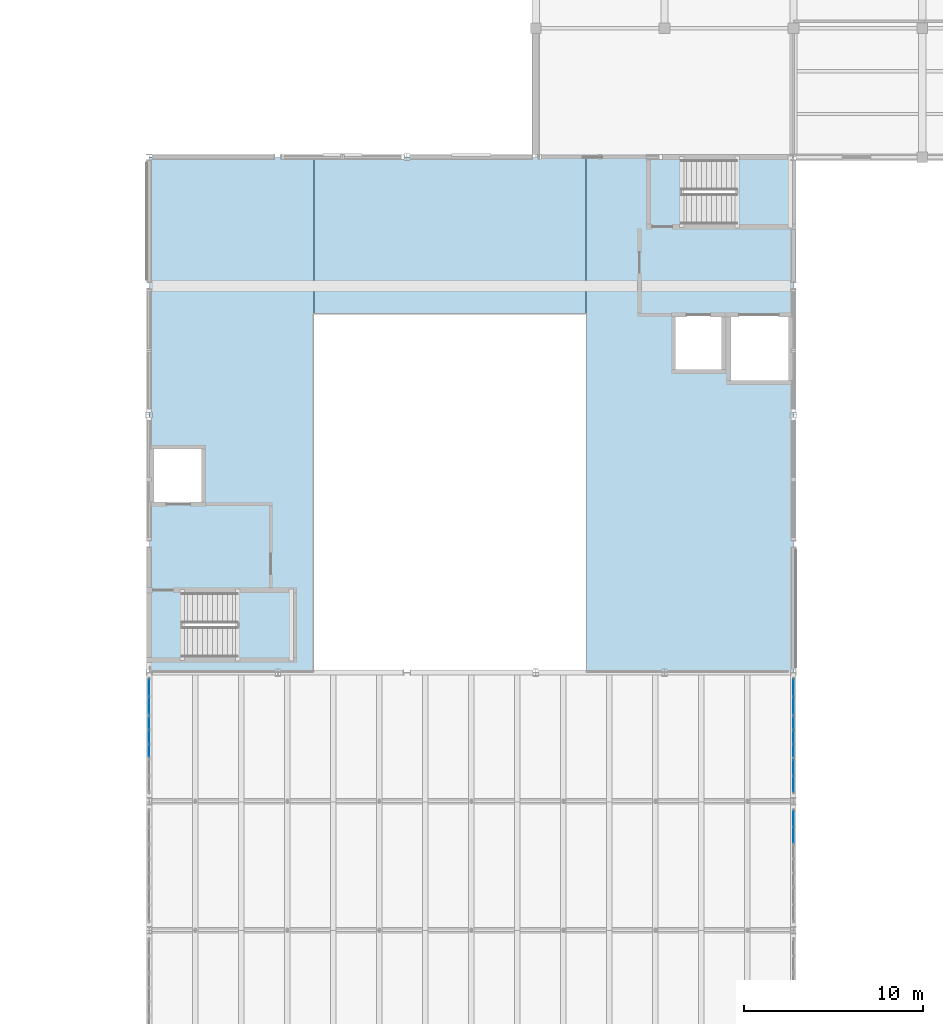
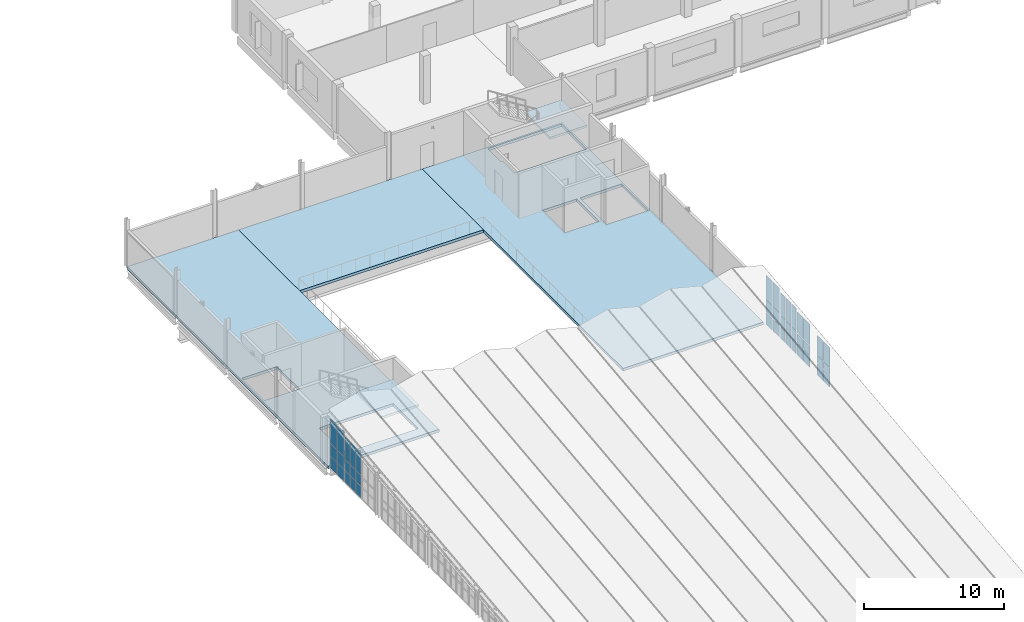
# One storey, part 32 of 48: 42 plates, 5 slabs, 8 elements without a shape of their own.
"""IFC4 building model written with IfcOpenShell, lengths in metres."""

from ifc_helpers import new_model, si_unit, direction, frame, origin, origin_2d, place, context, subcontext, project, spatial, polyline, rectangle, outline, extrude, material, layer, layer_set, type_object, element, aggregate, save


model = new_model("IFC4")

# Units and contexts
model_context = context("Model", 3, precision=1e-05, world=origin(), true_north=direction((0.0, 1.0)))
body_context = subcontext(model_context, "Body", "Model", "MODEL_VIEW")
ifc_project = project(units=[si_unit("LENGTHUNIT", "METRE"), si_unit("AREAUNIT", "SQUARE_METRE"), si_unit("VOLUMEUNIT", "CUBIC_METRE"), si_unit("PLANEANGLEUNIT", "RADIAN"), si_unit("MASSUNIT", "GRAM", prefix="KILO"), si_unit("THERMODYNAMICTEMPERATUREUNIT", "KELVIN"), si_unit("POWERUNIT", "WATT")], contexts=[model_context])

# Site, building, storey
site_placement = place(None, origin())
site = spatial("IfcSite", under=ifc_project, at=site_placement, CompositionType="ELEMENT")
building_placement = place(site_placement, origin())
building = spatial("IfcBuilding", under=site, at=building_placement, Name="Kaldorven Railside Theatre", CompositionType="ELEMENT")
storey_placement = place(building_placement, frame((0.0, 0.0, 18.89990234375)))
storey = spatial("IfcBuildingStorey", under=building, at=storey_placement, Name="L04", CompositionType="ELEMENT", Elevation=18.89990234375)

# Curtain wall, plates
ifc_material_1 = material(Name="Low-E laminated solar-control glass", Category="glass")
ifc_layer_1 = layer(ifc_material_1, 0.159912109375, Name="Low-E laminated solar-control glass")
ifc_layer_set_1 = layer_set([ifc_layer_1], Name="Low-E laminated solar-control glass")
curtain_wall_type_1 = type_object("IfcCurtainWallType", Name="CWT-39", PredefinedType="USERDEFINED", material=ifc_layer_set_1)
curtain_wall_1_placement = place(storey_placement, origin())
curtain_wall_1 = element("IfcCurtainWall", 1, at=curtain_wall_1_placement, inside=storey, type_object=curtain_wall_type_1, Name="Main Theatre West Eave Clerestory CWG-015", ObjectType="FLUTED GLAZING", PredefinedType="USERDEFINED")
ifc_layer_2 = layer(ifc_material_1, 0.028076171875, Name="Low-E laminated solar-control glass")
ifc_layer_set_2 = layer_set([ifc_layer_2], Name="Low-E laminated solar-control glass")
plate_type = type_object("IfcPlateType", Name="CWP-GLZ28", PredefinedType="CURTAIN_PANEL", material=ifc_layer_set_2)
plate_1_placement = place(storey_placement, frame((87.199951171875, 79.6201171875, 0.080078125), z_axis=(0.0, 0.0, 1.0), x_axis=(0.0, 1.0, 0.0)))
plate_1 = element("IfcPlate", 2, at=plate_1_placement, type_object=plate_type, Name="CWG-015 panel 1.1", PredefinedType="CURTAIN_PANEL", context=body_context, shape_type="SweptSolid", body=[
    extrude(rectangle(XDim=0.679931640625, YDim=0.028076171875, at=origin_2d()), origin(), (0.0, 0.0, 1.0), 1.010009765625),
])
plate_2_placement = place(storey_placement, frame((87.199951171875, 79.6201171875, 1.150146484375), z_axis=(0.0, 0.0, 1.0), x_axis=(0.0, 1.0, 0.0)))
plate_2 = element("IfcPlate", 3, at=plate_2_placement, type_object=plate_type, Name="CWG-015 panel 1.2", PredefinedType="CURTAIN_PANEL", context=body_context, shape_type="SweptSolid", body=[
    extrude(rectangle(XDim=0.679931640625, YDim=0.028076171875, at=origin_2d()), origin(), (0.0, 0.0, 1.0), 0.89990234375),
])
plate_3_placement = place(storey_placement, frame((87.199951171875, 79.6201171875, 2.1103515625), z_axis=(0.0, 0.0, 1.0), x_axis=(0.0, 1.0, 0.0)))
plate_3 = element("IfcPlate", 4, at=plate_3_placement, type_object=plate_type, Name="CWG-015 panel 1.3", PredefinedType="CURTAIN_PANEL", context=body_context, shape_type="SweptSolid", body=[
    extrude(rectangle(XDim=0.679931640625, YDim=0.028076171875, at=origin_2d()), origin(), (0.0, 0.0, 1.0), 1.969970703125),
])
plate_4_placement = place(storey_placement, frame((87.199951171875, 80.39990234375, 0.080078125), z_axis=(0.0, 0.0, 1.0), x_axis=(0.0, 1.0, 0.0)))
plate_4 = element("IfcPlate", 5, at=plate_4_placement, type_object=plate_type, Name="CWG-015 panel 2.1", PredefinedType="CURTAIN_PANEL", context=body_context, shape_type="SweptSolid", body=[
    extrude(rectangle(XDim=0.719970703125, YDim=0.028076171875, at=origin_2d()), origin(), (0.0, 0.0, 1.0), 1.010009765625),
])
plate_5_placement = place(storey_placement, frame((87.199951171875, 80.39990234375, 1.150146484375), z_axis=(0.0, 0.0, 1.0), x_axis=(0.0, 1.0, 0.0)))
plate_5 = element("IfcPlate", 6, at=plate_5_placement, type_object=plate_type, Name="CWG-015 panel 2.2", PredefinedType="CURTAIN_PANEL", context=body_context, shape_type="SweptSolid", body=[
    extrude(rectangle(XDim=0.719970703125, YDim=0.028076171875, at=origin_2d()), origin(), (0.0, 0.0, 1.0), 0.89990234375),
])
plate_6_placement = place(storey_placement, frame((87.199951171875, 80.39990234375, 2.1103515625), z_axis=(0.0, 0.0, 1.0), x_axis=(0.0, 1.0, 0.0)))
plate_6 = element("IfcPlate", 7, at=plate_6_placement, type_object=plate_type, Name="CWG-015 panel 2.3", PredefinedType="CURTAIN_PANEL", context=body_context, shape_type="SweptSolid", body=[
    extrude(rectangle(XDim=0.719970703125, YDim=0.028076171875, at=origin_2d()), origin(), (0.0, 0.0, 1.0), 1.969970703125),
])
plate_7_placement = place(storey_placement, frame((87.199951171875, 81.179931640625, 0.080078125), z_axis=(0.0, 0.0, 1.0), x_axis=(0.0, 1.0, 0.0)))
plate_7 = element("IfcPlate", 8, at=plate_7_placement, type_object=plate_type, Name="CWG-015 panel 3.1", PredefinedType="CURTAIN_PANEL", context=body_context, shape_type="SweptSolid", body=[
    extrude(rectangle(XDim=0.679931640625, YDim=0.028076171875, at=origin_2d()), origin(), (0.0, 0.0, 1.0), 1.010009765625),
])
plate_8_placement = place(storey_placement, frame((87.199951171875, 81.179931640625, 1.150146484375), z_axis=(0.0, 0.0, 1.0), x_axis=(0.0, 1.0, 0.0)))
plate_8 = element("IfcPlate", 9, at=plate_8_placement, type_object=plate_type, Name="CWG-015 panel 3.2", PredefinedType="CURTAIN_PANEL", context=body_context, shape_type="SweptSolid", body=[
    extrude(rectangle(XDim=0.679931640625, YDim=0.028076171875, at=origin_2d()), origin(), (0.0, 0.0, 1.0), 0.89990234375),
])
plate_9_placement = place(storey_placement, frame((87.199951171875, 81.179931640625, 2.1103515625), z_axis=(0.0, 0.0, 1.0), x_axis=(0.0, 1.0, 0.0)))
plate_9 = element("IfcPlate", 10, at=plate_9_placement, type_object=plate_type, Name="CWG-015 panel 3.3", PredefinedType="CURTAIN_PANEL", context=body_context, shape_type="SweptSolid", body=[
    extrude(rectangle(XDim=0.679931640625, YDim=0.028076171875, at=origin_2d()), origin(), (0.0, 0.0, 1.0), 1.969970703125),
])
aggregate(curtain_wall_1, [plate_1, plate_2, plate_3, plate_4, plate_5, plate_6, plate_7, plate_8, plate_9])

ifc_layer_3 = layer(ifc_material_1, 0.159912109375, Name="Low-E laminated solar-control glass")
ifc_layer_set_3 = layer_set([ifc_layer_3], Name="Low-E laminated solar-control glass")
curtain_wall_type_2 = type_object("IfcCurtainWallType", Name="CWT-40", PredefinedType="USERDEFINED", material=ifc_layer_set_3)
curtain_wall_2_placement = place(storey_placement, origin())
curtain_wall_2 = element("IfcCurtainWall", 11, at=curtain_wall_2_placement, inside=storey, type_object=curtain_wall_type_2, Name="Main Theatre West Eave Clerestory CWG-016", ObjectType="FLUTED GLAZING", PredefinedType="USERDEFINED")
plate_10_placement = place(storey_placement, frame((87.199951171875, 82.14501953125, 0.080078125), z_axis=(0.0, 0.0, 1.0), x_axis=(0.0, 1.0, 0.0)))
plate_10 = element("IfcPlate", 12, at=plate_10_placement, type_object=plate_type, Name="CWG-016 panel 1.1", PredefinedType="CURTAIN_PANEL", context=body_context, shape_type="SweptSolid", body=[
    extrude(rectangle(XDim=0.929931640625, YDim=0.028076171875, at=origin_2d()), origin(), (0.0, 0.0, 1.0), 1.010009765625),
])
plate_11_placement = place(storey_placement, frame((87.199951171875, 82.14501953125, 1.150146484375), z_axis=(0.0, 0.0, 1.0), x_axis=(0.0, 1.0, 0.0)))
plate_11 = element("IfcPlate", 13, at=plate_11_placement, type_object=plate_type, Name="CWG-016 panel 1.2", PredefinedType="CURTAIN_PANEL", context=body_context, shape_type="SweptSolid", body=[
    extrude(rectangle(XDim=0.929931640625, YDim=0.028076171875, at=origin_2d()), origin(), (0.0, 0.0, 1.0), 1.0400390625),
])
plate_12_placement = place(storey_placement, frame((87.199951171875, 82.14501953125, 2.25), z_axis=(0.0, 0.0, 1.0), x_axis=(0.0, 1.0, 0.0)))
plate_12 = element("IfcPlate", 14, at=plate_12_placement, type_object=plate_type, Name="CWG-016 panel 1.3", PredefinedType="CURTAIN_PANEL", context=body_context, shape_type="SweptSolid", body=[
    extrude(rectangle(XDim=0.929931640625, YDim=0.028076171875, at=origin_2d()), origin(), (0.0, 0.0, 1.0), 2.110107421875),
])
plate_13_placement = place(storey_placement, frame((87.199951171875, 83.15478515625, 0.080078125), z_axis=(0.0, 0.0, 1.0), x_axis=(0.0, 1.0, 0.0)))
plate_13 = element("IfcPlate", 15, at=plate_13_placement, type_object=plate_type, Name="CWG-016 panel 2.1", PredefinedType="CURTAIN_PANEL", context=body_context, shape_type="SweptSolid", body=[
    extrude(rectangle(XDim=0.929931640625, YDim=0.028076171875, at=origin_2d()), origin(), (0.0, 0.0, 1.0), 1.010009765625),
])
plate_14_placement = place(storey_placement, frame((87.199951171875, 83.15478515625, 1.150146484375), z_axis=(0.0, 0.0, 1.0), x_axis=(0.0, 1.0, 0.0)))
plate_14 = element("IfcPlate", 16, at=plate_14_placement, type_object=plate_type, Name="CWG-016 panel 2.2", PredefinedType="CURTAIN_PANEL", context=body_context, shape_type="SweptSolid", body=[
    extrude(rectangle(XDim=0.929931640625, YDim=0.028076171875, at=origin_2d()), origin(), (0.0, 0.0, 1.0), 1.0400390625),
])
plate_15_placement = place(storey_placement, frame((87.199951171875, 83.15478515625, 2.25), z_axis=(0.0, 0.0, 1.0), x_axis=(0.0, 1.0, 0.0)))
plate_15 = element("IfcPlate", 17, at=plate_15_placement, type_object=plate_type, Name="CWG-016 panel 2.3", PredefinedType="CURTAIN_PANEL", context=body_context, shape_type="SweptSolid", body=[
    extrude(rectangle(XDim=0.929931640625, YDim=0.028076171875, at=origin_2d()), origin(), (0.0, 0.0, 1.0), 2.110107421875),
])
aggregate(curtain_wall_2, [plate_10, plate_11, plate_12, plate_13, plate_14, plate_15])

ifc_layer_4 = layer(ifc_material_1, 0.159912109375, Name="Low-E laminated solar-control glass")
ifc_layer_set_4 = layer_set([ifc_layer_4], Name="Low-E laminated solar-control glass")
curtain_wall_type_3 = type_object("IfcCurtainWallType", Name="CWT-37", PredefinedType="USERDEFINED", material=ifc_layer_set_4)
curtain_wall_3_placement = place(storey_placement, origin())
curtain_wall_3 = element("IfcCurtainWall", 18, at=curtain_wall_3_placement, inside=storey, type_object=curtain_wall_type_3, Name="Main Theatre East Eave Clerestory CWG-029", ObjectType="FLUTED GLAZING", PredefinedType="USERDEFINED")
plate_16_placement = place(storey_placement, frame((123.199951171875, 74.90380859375, 0.080078125), z_axis=(0.0, 0.0, 1.0), x_axis=(0.0, 1.0, 0.0)))
plate_16 = element("IfcPlate", 19, at=plate_16_placement, type_object=plate_type, Name="CWG-029 panel 1.1", PredefinedType="CURTAIN_PANEL", context=body_context, shape_type="SweptSolid", body=[
    extrude(rectangle(XDim=0.847412109375, YDim=0.028076171875, at=origin_2d()), origin(), (0.0, 0.0, 1.0), 1.010009765625),
])
plate_17_placement = place(storey_placement, frame((123.199951171875, 74.90380859375, 1.150146484375), z_axis=(0.0, 0.0, 1.0), x_axis=(0.0, 1.0, 0.0)))
plate_17 = element("IfcPlate", 20, at=plate_17_placement, type_object=plate_type, Name="CWG-029 panel 1.2", PredefinedType="CURTAIN_PANEL", context=body_context, shape_type="SweptSolid", body=[
    extrude(rectangle(XDim=0.847412109375, YDim=0.028076171875, at=origin_2d()), origin(), (0.0, 0.0, 1.0), 0.6298828125),
])
plate_18_placement = place(storey_placement, frame((123.199951171875, 74.90380859375, 1.84033203125), z_axis=(0.0, 0.0, 1.0), x_axis=(0.0, 1.0, 0.0)))
plate_18 = element("IfcPlate", 21, at=plate_18_placement, type_object=plate_type, Name="CWG-029 panel 1.3", PredefinedType="CURTAIN_PANEL", context=body_context, shape_type="SweptSolid", body=[
    extrude(rectangle(XDim=0.847412109375, YDim=0.028076171875, at=origin_2d()), origin(), (0.0, 0.0, 1.0), 1.699951171875),
])
plate_19_placement = place(storey_placement, frame((123.199951171875, 75.831298828125, 0.080078125), z_axis=(0.0, 0.0, 1.0), x_axis=(0.0, 1.0, 0.0)))
plate_19 = element("IfcPlate", 22, at=plate_19_placement, type_object=plate_type, Name="CWG-029 panel 2.1", PredefinedType="CURTAIN_PANEL", context=body_context, shape_type="SweptSolid", body=[
    extrude(rectangle(XDim=0.847412109375, YDim=0.028076171875, at=origin_2d()), origin(), (0.0, 0.0, 1.0), 1.010009765625),
])
plate_20_placement = place(storey_placement, frame((123.199951171875, 75.831298828125, 1.150146484375), z_axis=(0.0, 0.0, 1.0), x_axis=(0.0, 1.0, 0.0)))
plate_20 = element("IfcPlate", 23, at=plate_20_placement, type_object=plate_type, Name="CWG-029 panel 2.2", PredefinedType="CURTAIN_PANEL", context=body_context, shape_type="SweptSolid", body=[
    extrude(rectangle(XDim=0.847412109375, YDim=0.028076171875, at=origin_2d()), origin(), (0.0, 0.0, 1.0), 0.6298828125),
])
plate_21_placement = place(storey_placement, frame((123.199951171875, 75.831298828125, 1.84033203125), z_axis=(0.0, 0.0, 1.0), x_axis=(0.0, 1.0, 0.0)))
plate_21 = element("IfcPlate", 24, at=plate_21_placement, type_object=plate_type, Name="CWG-029 panel 2.3", PredefinedType="CURTAIN_PANEL", context=body_context, shape_type="SweptSolid", body=[
    extrude(rectangle(XDim=0.847412109375, YDim=0.028076171875, at=origin_2d()), origin(), (0.0, 0.0, 1.0), 1.699951171875),
])
aggregate(curtain_wall_3, [plate_16, plate_17, plate_18, plate_19, plate_20, plate_21])

ifc_layer_5 = layer(ifc_material_1, 0.159912109375, Name="Low-E laminated solar-control glass")
ifc_layer_set_5 = layer_set([ifc_layer_5], Name="Low-E laminated solar-control glass")
curtain_wall_type_4 = type_object("IfcCurtainWallType", Name="CWT-38", PredefinedType="USERDEFINED", material=ifc_layer_set_5)
curtain_wall_4_placement = place(storey_placement, origin())
curtain_wall_4 = element("IfcCurtainWall", 25, at=curtain_wall_4_placement, inside=storey, type_object=curtain_wall_type_4, Name="Main Theatre East Eave Clerestory CWG-030", ObjectType="FLUTED GLAZING", PredefinedType="USERDEFINED")
plate_22_placement = place(storey_placement, frame((123.199951171875, 77.768798828125, 0.080078125), z_axis=(0.0, 0.0, 1.0), x_axis=(0.0, 1.0, 0.0)))
plate_22 = element("IfcPlate", 26, at=plate_22_placement, type_object=plate_type, Name="CWG-030 panel 1.1", PredefinedType="CURTAIN_PANEL", context=body_context, shape_type="SweptSolid", body=[
    extrude(rectangle(XDim=0.847412109375, YDim=0.028076171875, at=origin_2d()), origin(), (0.0, 0.0, 1.0), 1.010009765625),
])
plate_23_placement = place(storey_placement, frame((123.199951171875, 77.768798828125, 1.150146484375), z_axis=(0.0, 0.0, 1.0), x_axis=(0.0, 1.0, 0.0)))
plate_23 = element("IfcPlate", 27, at=plate_23_placement, type_object=plate_type, Name="CWG-030 panel 1.2", PredefinedType="CURTAIN_PANEL", context=body_context, shape_type="SweptSolid", body=[
    extrude(rectangle(XDim=0.847412109375, YDim=0.028076171875, at=origin_2d()), origin(), (0.0, 0.0, 1.0), 0.7900390625),
])
plate_24_placement = place(storey_placement, frame((123.199951171875, 77.768798828125, 2.0), z_axis=(0.0, 0.0, 1.0), x_axis=(0.0, 1.0, 0.0)))
plate_24 = element("IfcPlate", 28, at=plate_24_placement, type_object=plate_type, Name="CWG-030 panel 1.3", PredefinedType="CURTAIN_PANEL", context=body_context, shape_type="SweptSolid", body=[
    extrude(rectangle(XDim=0.847412109375, YDim=0.028076171875, at=origin_2d()), origin(), (0.0, 0.0, 1.0), 1.860107421875),
])
plate_25_placement = place(storey_placement, frame((123.199951171875, 78.6962890625, 0.080078125), z_axis=(0.0, 0.0, 1.0), x_axis=(0.0, 1.0, 0.0)))
plate_25 = element("IfcPlate", 29, at=plate_25_placement, type_object=plate_type, Name="CWG-030 panel 2.1", PredefinedType="CURTAIN_PANEL", context=body_context, shape_type="SweptSolid", body=[
    extrude(rectangle(XDim=0.847412109375, YDim=0.028076171875, at=origin_2d()), origin(), (0.0, 0.0, 1.0), 1.010009765625),
])
plate_26_placement = place(storey_placement, frame((123.199951171875, 78.6962890625, 1.150146484375), z_axis=(0.0, 0.0, 1.0), x_axis=(0.0, 1.0, 0.0)))
plate_26 = element("IfcPlate", 30, at=plate_26_placement, type_object=plate_type, Name="CWG-030 panel 2.2", PredefinedType="CURTAIN_PANEL", context=body_context, shape_type="SweptSolid", body=[
    extrude(rectangle(XDim=0.847412109375, YDim=0.028076171875, at=origin_2d()), origin(), (0.0, 0.0, 1.0), 0.7900390625),
])
plate_27_placement = place(storey_placement, frame((123.199951171875, 78.6962890625, 2.0), z_axis=(0.0, 0.0, 1.0), x_axis=(0.0, 1.0, 0.0)))
plate_27 = element("IfcPlate", 31, at=plate_27_placement, type_object=plate_type, Name="CWG-030 panel 2.3", PredefinedType="CURTAIN_PANEL", context=body_context, shape_type="SweptSolid", body=[
    extrude(rectangle(XDim=0.847412109375, YDim=0.028076171875, at=origin_2d()), origin(), (0.0, 0.0, 1.0), 1.860107421875),
])
aggregate(curtain_wall_4, [plate_22, plate_23, plate_24, plate_25, plate_26, plate_27])

curtain_wall_5_placement = place(storey_placement, origin())
curtain_wall_5 = element("IfcCurtainWall", 32, at=curtain_wall_5_placement, inside=storey, type_object=curtain_wall_type_1, Name="Main Theatre East Eave Clerestory CWG-031", ObjectType="FLUTED GLAZING", PredefinedType="USERDEFINED")
plate_28_placement = place(storey_placement, frame((123.199951171875, 79.6201171875, 0.080078125), z_axis=(0.0, 0.0, 1.0), x_axis=(0.0, 1.0, 0.0)))
plate_28 = element("IfcPlate", 33, at=plate_28_placement, type_object=plate_type, Name="CWG-031 panel 1.1", PredefinedType="CURTAIN_PANEL", context=body_context, shape_type="SweptSolid", body=[
    extrude(rectangle(XDim=0.679931640625, YDim=0.028076171875, at=origin_2d()), origin(), (0.0, 0.0, 1.0), 1.010009765625),
])
plate_29_placement = place(storey_placement, frame((123.199951171875, 79.6201171875, 1.150146484375), z_axis=(0.0, 0.0, 1.0), x_axis=(0.0, 1.0, 0.0)))
plate_29 = element("IfcPlate", 34, at=plate_29_placement, type_object=plate_type, Name="CWG-031 panel 1.2", PredefinedType="CURTAIN_PANEL", context=body_context, shape_type="SweptSolid", body=[
    extrude(rectangle(XDim=0.679931640625, YDim=0.028076171875, at=origin_2d()), origin(), (0.0, 0.0, 1.0), 0.89990234375),
])
plate_30_placement = place(storey_placement, frame((123.199951171875, 79.6201171875, 2.1103515625), z_axis=(0.0, 0.0, 1.0), x_axis=(0.0, 1.0, 0.0)))
plate_30 = element("IfcPlate", 35, at=plate_30_placement, type_object=plate_type, Name="CWG-031 panel 1.3", PredefinedType="CURTAIN_PANEL", context=body_context, shape_type="SweptSolid", body=[
    extrude(rectangle(XDim=0.679931640625, YDim=0.028076171875, at=origin_2d()), origin(), (0.0, 0.0, 1.0), 1.969970703125),
])
plate_31_placement = place(storey_placement, frame((123.199951171875, 80.39990234375, 0.080078125), z_axis=(0.0, 0.0, 1.0), x_axis=(0.0, 1.0, 0.0)))
plate_31 = element("IfcPlate", 36, at=plate_31_placement, type_object=plate_type, Name="CWG-031 panel 2.1", PredefinedType="CURTAIN_PANEL", context=body_context, shape_type="SweptSolid", body=[
    extrude(rectangle(XDim=0.719970703125, YDim=0.028076171875, at=origin_2d()), origin(), (0.0, 0.0, 1.0), 1.010009765625),
])
plate_32_placement = place(storey_placement, frame((123.199951171875, 80.39990234375, 1.150146484375), z_axis=(0.0, 0.0, 1.0), x_axis=(0.0, 1.0, 0.0)))
plate_32 = element("IfcPlate", 37, at=plate_32_placement, type_object=plate_type, Name="CWG-031 panel 2.2", PredefinedType="CURTAIN_PANEL", context=body_context, shape_type="SweptSolid", body=[
    extrude(rectangle(XDim=0.719970703125, YDim=0.028076171875, at=origin_2d()), origin(), (0.0, 0.0, 1.0), 0.89990234375),
])
plate_33_placement = place(storey_placement, frame((123.199951171875, 80.39990234375, 2.1103515625), z_axis=(0.0, 0.0, 1.0), x_axis=(0.0, 1.0, 0.0)))
plate_33 = element("IfcPlate", 38, at=plate_33_placement, type_object=plate_type, Name="CWG-031 panel 2.3", PredefinedType="CURTAIN_PANEL", context=body_context, shape_type="SweptSolid", body=[
    extrude(rectangle(XDim=0.719970703125, YDim=0.028076171875, at=origin_2d()), origin(), (0.0, 0.0, 1.0), 1.969970703125),
])
plate_34_placement = place(storey_placement, frame((123.199951171875, 81.179931640625, 0.080078125), z_axis=(0.0, 0.0, 1.0), x_axis=(0.0, 1.0, 0.0)))
plate_34 = element("IfcPlate", 39, at=plate_34_placement, type_object=plate_type, Name="CWG-031 panel 3.1", PredefinedType="CURTAIN_PANEL", context=body_context, shape_type="SweptSolid", body=[
    extrude(rectangle(XDim=0.679931640625, YDim=0.028076171875, at=origin_2d()), origin(), (0.0, 0.0, 1.0), 1.010009765625),
])
plate_35_placement = place(storey_placement, frame((123.199951171875, 81.179931640625, 1.150146484375), z_axis=(0.0, 0.0, 1.0), x_axis=(0.0, 1.0, 0.0)))
plate_35 = element("IfcPlate", 40, at=plate_35_placement, type_object=plate_type, Name="CWG-031 panel 3.2", PredefinedType="CURTAIN_PANEL", context=body_context, shape_type="SweptSolid", body=[
    extrude(rectangle(XDim=0.679931640625, YDim=0.028076171875, at=origin_2d()), origin(), (0.0, 0.0, 1.0), 0.89990234375),
])
plate_36_placement = place(storey_placement, frame((123.199951171875, 81.179931640625, 2.1103515625), z_axis=(0.0, 0.0, 1.0), x_axis=(0.0, 1.0, 0.0)))
plate_36 = element("IfcPlate", 41, at=plate_36_placement, type_object=plate_type, Name="CWG-031 panel 3.3", PredefinedType="CURTAIN_PANEL", context=body_context, shape_type="SweptSolid", body=[
    extrude(rectangle(XDim=0.679931640625, YDim=0.028076171875, at=origin_2d()), origin(), (0.0, 0.0, 1.0), 1.969970703125),
])
aggregate(curtain_wall_5, [plate_28, plate_29, plate_30, plate_31, plate_32, plate_33, plate_34, plate_35, plate_36])

curtain_wall_6_placement = place(storey_placement, origin())
curtain_wall_6 = element("IfcCurtainWall", 42, at=curtain_wall_6_placement, inside=storey, type_object=curtain_wall_type_2, Name="Main Theatre East Eave Clerestory CWG-032", ObjectType="FLUTED GLAZING", PredefinedType="USERDEFINED")
plate_37_placement = place(storey_placement, frame((123.199951171875, 82.14501953125, 0.080078125), z_axis=(0.0, 0.0, 1.0), x_axis=(0.0, 1.0, 0.0)))
plate_37 = element("IfcPlate", 43, at=plate_37_placement, type_object=plate_type, Name="CWG-032 panel 1.1", PredefinedType="CURTAIN_PANEL", context=body_context, shape_type="SweptSolid", body=[
    extrude(rectangle(XDim=0.929931640625, YDim=0.028076171875, at=origin_2d()), origin(), (0.0, 0.0, 1.0), 1.010009765625),
])
plate_38_placement = place(storey_placement, frame((123.199951171875, 82.14501953125, 1.150146484375), z_axis=(0.0, 0.0, 1.0), x_axis=(0.0, 1.0, 0.0)))
plate_38 = element("IfcPlate", 44, at=plate_38_placement, type_object=plate_type, Name="CWG-032 panel 1.2", PredefinedType="CURTAIN_PANEL", context=body_context, shape_type="SweptSolid", body=[
    extrude(rectangle(XDim=0.929931640625, YDim=0.028076171875, at=origin_2d()), origin(), (0.0, 0.0, 1.0), 1.0400390625),
])
plate_39_placement = place(storey_placement, frame((123.199951171875, 82.14501953125, 2.25), z_axis=(0.0, 0.0, 1.0), x_axis=(0.0, 1.0, 0.0)))
plate_39 = element("IfcPlate", 45, at=plate_39_placement, type_object=plate_type, Name="CWG-032 panel 1.3", PredefinedType="CURTAIN_PANEL", context=body_context, shape_type="SweptSolid", body=[
    extrude(rectangle(XDim=0.929931640625, YDim=0.028076171875, at=origin_2d()), origin(), (0.0, 0.0, 1.0), 2.110107421875),
])
plate_40_placement = place(storey_placement, frame((123.199951171875, 83.15478515625, 0.080078125), z_axis=(0.0, 0.0, 1.0), x_axis=(0.0, 1.0, 0.0)))
plate_40 = element("IfcPlate", 46, at=plate_40_placement, type_object=plate_type, Name="CWG-032 panel 2.1", PredefinedType="CURTAIN_PANEL", context=body_context, shape_type="SweptSolid", body=[
    extrude(rectangle(XDim=0.929931640625, YDim=0.028076171875, at=origin_2d()), origin(), (0.0, 0.0, 1.0), 1.010009765625),
])
plate_41_placement = place(storey_placement, frame((123.199951171875, 83.15478515625, 1.150146484375), z_axis=(0.0, 0.0, 1.0), x_axis=(0.0, 1.0, 0.0)))
plate_41 = element("IfcPlate", 47, at=plate_41_placement, type_object=plate_type, Name="CWG-032 panel 2.2", PredefinedType="CURTAIN_PANEL", context=body_context, shape_type="SweptSolid", body=[
    extrude(rectangle(XDim=0.929931640625, YDim=0.028076171875, at=origin_2d()), origin(), (0.0, 0.0, 1.0), 1.0400390625),
])
plate_42_placement = place(storey_placement, frame((123.199951171875, 83.15478515625, 2.25), z_axis=(0.0, 0.0, 1.0), x_axis=(0.0, 1.0, 0.0)))
plate_42 = element("IfcPlate", 48, at=plate_42_placement, type_object=plate_type, Name="CWG-032 panel 2.3", PredefinedType="CURTAIN_PANEL", context=body_context, shape_type="SweptSolid", body=[
    extrude(rectangle(XDim=0.929931640625, YDim=0.028076171875, at=origin_2d()), origin(), (0.0, 0.0, 1.0), 2.110107421875),
])
aggregate(curtain_wall_6, [plate_37, plate_38, plate_39, plate_40, plate_41, plate_42])

# Slabs
ifc_material_2 = material(Name="Concrete C35/45", Category="concrete")
ifc_layer_6 = layer(ifc_material_2, 0.239990234375, Name="Concrete C35/45")
ifc_layer_set_6 = layer_set([ifc_layer_6], Name="Concrete C35/45")
slab_type_1 = type_object("IfcSlabType", Name="SLB-FSL-240", PredefinedType="FLOOR", material=ifc_layer_set_6)
slab_1_placement = place(storey_placement, frame((0.0, 0.0, -0.239990234375)))
element("IfcSlab", 49, at=slab_1_placement, inside=storey, type_object=slab_type_1, Name="L04 Floor Slab SL-L04-V2W", PredefinedType="FLOOR", context=body_context, shape_type="SweptSolid", body=[
    extrude(outline(polyline([(87.199951171875, 84.0), (96.39990234375, 84.0), (96.39990234375, 112.800048828125), (87.199951171875, 112.800048828125), (87.199951171875, 84.0)]), holes=[polyline([(89.050048828125, 88.449951171875), (95.14990234375, 88.449951171875), (95.14990234375, 84.85009765625), (89.199951171875, 84.85009765625), (89.199951171875, 86.570068359375), (89.050048828125, 86.570068359375), (89.050048828125, 88.449951171875)]), polyline([(90.25, 93.39990234375), (90.25, 96.60009765625), (87.35009765625, 96.60009765625), (87.35009765625, 93.39990234375), (90.25, 93.39990234375)])]), origin(), (0.0, 0.0, 1.0), 0.239990234375),
])
slab_2_placement = place(storey_placement, frame((0.0, 0.0, -0.239990234375)))
element("IfcSlab", 50, at=slab_2_placement, inside=storey, type_object=slab_type_1, Name="L04 Floor Slab SL-L04-V2E", PredefinedType="FLOOR", context=body_context, shape_type="SweptSolid", body=[
    extrude(outline(polyline([(111.60009765625, 84.0), (123.199951171875, 84.0), (123.199951171875, 112.800048828125), (111.60009765625, 112.800048828125), (111.60009765625, 84.0)]), holes=[polyline([(116.949951171875, 112.64990234375), (123.050048828125, 112.64990234375), (123.050048828125, 109.050048828125), (117.10009765625, 109.050048828125), (117.10009765625, 110.77001953125), (116.949951171875, 110.77001953125), (116.949951171875, 112.64990234375)]), polyline([(119.300048828125, 100.800048828125), (119.300048828125, 104.0), (116.5, 104.0), (116.5, 100.800048828125), (119.300048828125, 100.800048828125)]), polyline([(123.050048828125, 100.199951171875), (123.050048828125, 104.0), (119.580078125, 104.0), (119.580078125, 100.199951171875), (123.050048828125, 100.199951171875)])]), origin(), (0.0, 0.0, 1.0), 0.239990234375),
])
slab_3_placement = place(storey_placement, frame((0.0, 0.0, -0.239990234375)))
element("IfcSlab", 51, at=slab_3_placement, inside=storey, type_object=slab_type_1, Name="L04 Floor Slab SL-L04-V2N", PredefinedType="FLOOR", context=body_context, shape_type="SweptSolid", body=[
    extrude(outline(polyline([(96.39990234375, 104.0), (111.60009765625, 104.0), (111.60009765625, 112.800048828125), (96.39990234375, 112.800048828125), (96.39990234375, 104.0)])), origin(), (0.0, 0.0, 1.0), 0.239990234375),
])

# Stair, slab
stair_type = type_object("IfcStairType", Name="STR-DL-04", PredefinedType="HALF_TURN_STAIR", material=ifc_material_2)
stair_1_placement = place(storey_placement, origin())
stair_1 = element("IfcStair", 52, at=stair_1_placement, inside=storey, type_object=stair_type, Name="L04 Core C-STW Escape Stair ST-05", PredefinedType="HALF_TURN_STAIR")
ifc_layer_7 = layer(ifc_material_2, 0.199951171875, Name="Concrete C35/45")
ifc_layer_set_7 = layer_set([ifc_layer_7], Name="Concrete C35/45")
slab_type_2 = type_object("IfcSlabType", Name="SLB-LSL-200", PredefinedType="LANDING", material=ifc_layer_set_7)
slab_4_placement = place(storey_placement, frame((0.0, 0.0, 1.900146484375)))
slab_4 = element("IfcSlab", 53, at=slab_4_placement, type_object=slab_type_2, Name="ST-05 landing 1", PredefinedType="LANDING", context=body_context, shape_type="SweptSolid", body=[
    extrude(outline(polyline([(92.10498046875, 84.820068359375), (95.179931640625, 84.820068359375), (95.179931640625, 88.47998046875), (92.10498046875, 88.47998046875), (92.10498046875, 84.820068359375)])), origin(), (0.0, 0.0, 1.0), 0.199951171875),
])
aggregate(stair_1, [slab_4])

stair_2_placement = place(storey_placement, origin())
stair_2 = element("IfcStair", 54, at=stair_2_placement, inside=storey, type_object=stair_type, Name="L04 Core C-STE Escape Stair ST-06", PredefinedType="HALF_TURN_STAIR")
slab_5_placement = place(storey_placement, frame((0.0, 0.0, 1.900146484375)))
slab_5 = element("IfcSlab", 55, at=slab_5_placement, type_object=slab_type_2, Name="ST-06 landing 1", PredefinedType="LANDING", context=body_context, shape_type="SweptSolid", body=[
    extrude(outline(polyline([(120.0048828125, 109.02001953125), (123.080078125, 109.02001953125), (123.080078125, 112.679931640625), (120.0048828125, 112.679931640625), (120.0048828125, 109.02001953125)])), origin(), (0.0, 0.0, 1.0), 0.199951171875),
])
aggregate(stair_2, [slab_5])

save(model, "model.ifc")
